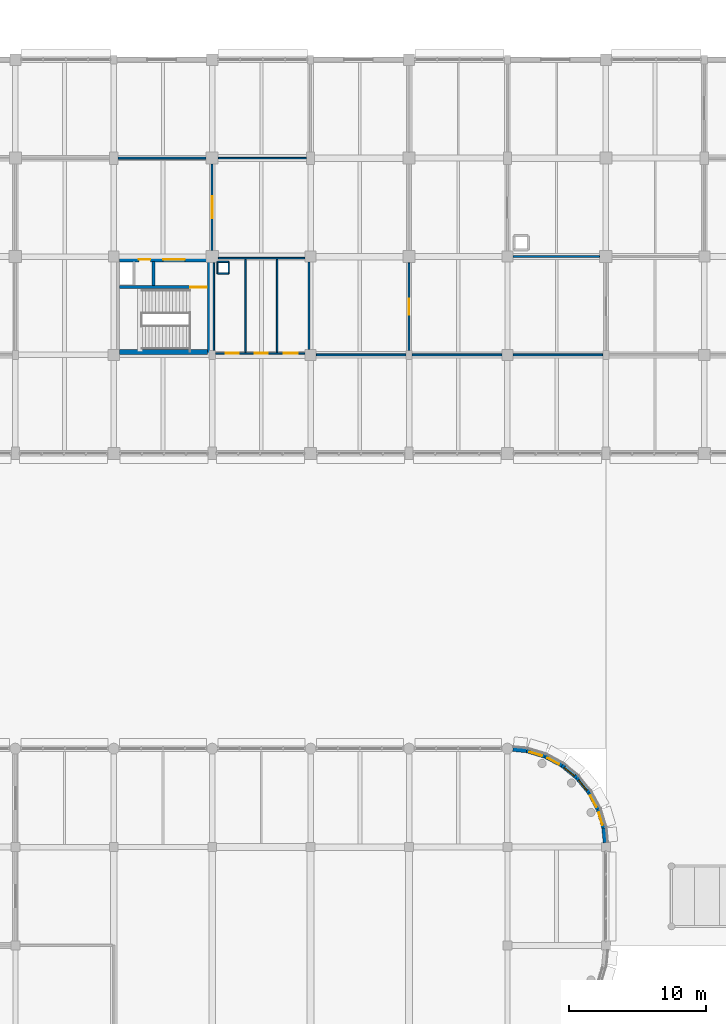
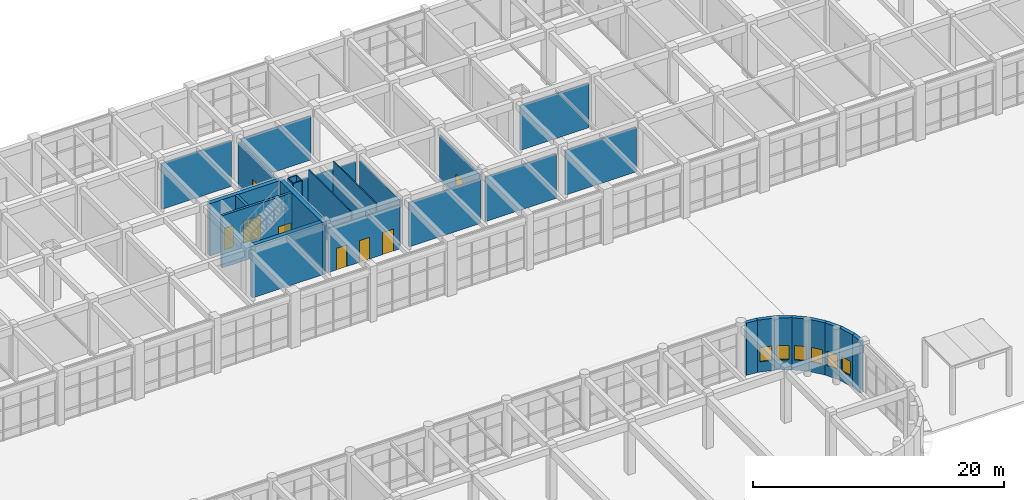
# One storey, part 143 of 160: 31 walls, 8 doors, 6 windows, 14 openings.
"""IFC4 building model written with IfcOpenShell, lengths in metres."""

from ifc_helpers import new_model, si_unit, direction, frame, frame_2d, origin, place, context, subcontext, project, spatial, rectangle, extrude, material, layer, layer_set, type_object, element, fill, save


model = new_model("IFC4")

# Units and contexts
model_context = context("Model", 3, precision=1e-05, world=origin(), true_north=direction((0.0, 1.0)))
body_context = subcontext(model_context, "Body", "Model", "MODEL_VIEW")
ifc_project = project(units=[si_unit("LENGTHUNIT", "METRE"), si_unit("AREAUNIT", "SQUARE_METRE"), si_unit("VOLUMEUNIT", "CUBIC_METRE"), si_unit("PLANEANGLEUNIT", "RADIAN"), si_unit("MASSUNIT", "GRAM", prefix="KILO")], contexts=[model_context])

# Site, building, storey
site_placement = place(None, origin())
site = spatial("IfcSite", under=ifc_project, at=site_placement, CompositionType="ELEMENT")
building_placement = place(site_placement, origin())
building = spatial("IfcBuilding", under=site, at=building_placement, Name="Thalmaran Polytechnic", CompositionType="ELEMENT")
storey_placement = place(building_placement, origin())
storey = spatial("IfcBuildingStorey", under=building, at=storey_placement, Name="L00", CompositionType="ELEMENT", Elevation=0.0)

# Wall
ifc_material_1 = material(Name="Precast concrete C40/50", Category="concrete")
ifc_layer_1 = layer(ifc_material_1, 0.330078125, Name="Precast concrete C40/50")
ifc_layer_set_1 = layer_set([ifc_layer_1], Name="Precast concrete C40/50")
wall_type_1 = type_object("IfcWallType", Name="WL-EW02", PredefinedType="STANDARD", material=ifc_layer_set_1)
wall_1_placement = place(storey_placement, frame((86.798095703125, 71.960693359375, 0.0), z_axis=(0.0, 0.0, 1.0), x_axis=(0.9951866114, -0.097998002481, 0.0)))
element("IfcWall", 1, at=wall_1_placement, inside=storey, type_object=wall_type_1, Name="Exterior Precast Facade Wall L00-120", PredefinedType="STANDARD", context=body_context, shape_type="SweptSolid", body=[
    extrude(rectangle(XDim=1.011474609375, YDim=0.330078125, at=frame_2d((0.505859375, 0.0))), origin(), (0.0, 0.0, 1.0), 5.090087890625),
])

# Wall, opening, window
wall_2_placement = place(storey_placement, frame((87.8046875, 71.861572265625, 0.0), z_axis=(0.0, 0.0, 1.0), x_axis=(0.956945806495, -0.290266641956, 0.0)))
wall_2 = element("IfcWall", 2, at=wall_2_placement, inside=storey, type_object=wall_type_1, Name="Exterior Precast Facade Wall L00-121", PredefinedType="STANDARD", context=body_context, shape_type="SweptSolid", body=[
    extrude(rectangle(XDim=1.411376953125, YDim=0.330078125, at=frame_2d((0.70556640625, 0.0))), origin(), (0.0, 0.0, 1.0), 5.090087890625),
])
opening_1_placement = place(wall_2_placement, frame((0.2255859375, 0.0, 1.0)))
opening_1 = element("IfcOpeningElement", 3, at=opening_1_placement, cuts=wall_2, Name="Opening CR01", PredefinedType="OPENING", context=body_context, shape_type="SweptSolid", body=[
    extrude(rectangle(XDim=0.9599609375, YDim=1.39990234375, at=frame_2d((0.47998046875, 0.699951171875))), frame((0.0, 0.175048828125, 0.0), z_axis=(0.0, -1.0, 0.0), x_axis=(1.0, 0.0, 0.0)), (0.0, 0.0, 1.0), 0.35009765625),
])
ifc_material_2 = material(Name="Thermally broken aluminium and double low-E glass", Category="aluminium")
window_type = type_object("IfcWindowType", Name="WN-CR01", PartitioningType="SINGLE_PANEL", PredefinedType="WINDOW", material=ifc_material_2)
window_1_placement = place(opening_1_placement, origin())
window_1 = element("IfcWindow", 4, at=window_1_placement, inside=storey, type_object=window_type, Name="Curved Prow Ribbon Window W-0066", OverallHeight=1.39990234375, OverallWidth=0.9599609375, PartitioningType="SINGLE_PANEL", PredefinedType="WINDOW", context=body_context, shape_type="SweptSolid", body=[
    extrude(rectangle(XDim=0.9599609375, YDim=1.39990234375, at=frame_2d((0.47998046875, 0.699951171875))), frame((0.0, -0.010009765625, 0.0), z_axis=(0.0, -1.0, 0.0), x_axis=(1.0, 0.0, 0.0)), (0.0, 0.0, 1.0), 0.06005859375),
])
fill(opening_1, window_1)

wall_3_placement = place(storey_placement, frame((89.1552734375, 71.451904296875, 0.0), z_axis=(0.0, 0.0, 1.0), x_axis=(0.881955222984, -0.471333199182, 0.0)))
wall_3 = element("IfcWall", 5, at=wall_3_placement, inside=storey, type_object=wall_type_1, Name="Exterior Precast Facade Wall L00-122", PredefinedType="STANDARD", context=body_context, shape_type="SweptSolid", body=[
    extrude(rectangle(XDim=1.411376953125, YDim=0.330078125, at=frame_2d((0.70556640625, 0.0))), origin(), (0.0, 0.0, 1.0), 5.090087890625),
])
opening_2_placement = place(wall_3_placement, frame((0.2255859375, 0.0, 1.0)))
opening_2 = element("IfcOpeningElement", 6, at=opening_2_placement, cuts=wall_3, Name="Opening CR01", PredefinedType="OPENING", context=body_context, shape_type="SweptSolid", body=[
    extrude(rectangle(XDim=0.9599609375, YDim=1.39990234375, at=frame_2d((0.47998046875, 0.699951171875))), frame((0.0, 0.175048828125, 0.0), z_axis=(0.0, -1.0, 0.0), x_axis=(1.0, 0.0, 0.0)), (0.0, 0.0, 1.0), 0.35009765625),
])
window_2_placement = place(opening_2_placement, origin())
window_2 = element("IfcWindow", 7, at=window_2_placement, inside=storey, type_object=window_type, Name="Curved Prow Ribbon Window W-0067", OverallHeight=1.39990234375, OverallWidth=0.9599609375, PartitioningType="SINGLE_PANEL", PredefinedType="WINDOW", context=body_context, shape_type="SweptSolid", body=[
    extrude(rectangle(XDim=0.9599609375, YDim=1.39990234375, at=frame_2d((0.47998046875, 0.699951171875))), frame((0.0, -0.010009765625, 0.0), z_axis=(0.0, -1.0, 0.0), x_axis=(1.0, 0.0, 0.0)), (0.0, 0.0, 1.0), 0.06005859375),
])
fill(opening_2, window_2)

wall_4_placement = place(storey_placement, frame((90.400146484375, 70.78662109375, 0.0), z_axis=(0.0, 0.0, 1.0), x_axis=(0.772977670605, -0.634433227965, 0.0)))
wall_4 = element("IfcWall", 8, at=wall_4_placement, inside=storey, type_object=wall_type_1, Name="Exterior Precast Facade Wall L00-123", PredefinedType="STANDARD", context=body_context, shape_type="SweptSolid", body=[
    extrude(rectangle(XDim=1.41162109375, YDim=0.330078125, at=frame_2d((0.705810546875, 0.0))), origin(), (0.0, 0.0, 1.0), 5.090087890625),
])
opening_3_placement = place(wall_4_placement, frame((0.2255859375, 0.0, 1.0)))
opening_3 = element("IfcOpeningElement", 9, at=opening_3_placement, cuts=wall_4, Name="Opening CR01", PredefinedType="OPENING", context=body_context, shape_type="SweptSolid", body=[
    extrude(rectangle(XDim=0.9599609375, YDim=1.39990234375, at=frame_2d((0.47998046875, 0.699951171875))), frame((0.0, 0.175048828125, 0.0), z_axis=(0.0, -1.0, 0.0), x_axis=(1.0, 0.0, 0.0)), (0.0, 0.0, 1.0), 0.35009765625),
])
window_3_placement = place(opening_3_placement, origin())
window_3 = element("IfcWindow", 10, at=window_3_placement, inside=storey, type_object=window_type, Name="Curved Prow Ribbon Window W-0068", OverallHeight=1.39990234375, OverallWidth=0.9599609375, PartitioningType="SINGLE_PANEL", PredefinedType="WINDOW", context=body_context, shape_type="SweptSolid", body=[
    extrude(rectangle(XDim=0.9599609375, YDim=1.39990234375, at=frame_2d((0.47998046875, 0.699951171875))), frame((0.0, -0.010009765625, 0.0), z_axis=(0.0, -1.0, 0.0), x_axis=(1.0, 0.0, 0.0)), (0.0, 0.0, 1.0), 0.06005859375),
])
fill(opening_3, window_3)

wall_5_placement = place(storey_placement, frame((91.4912109375, 69.89111328125, 0.0), z_axis=(0.0, 0.0, 1.0), x_axis=(0.63432986571, -0.773062495189, 0.0)))
wall_5 = element("IfcWall", 11, at=wall_5_placement, inside=storey, type_object=wall_type_1, Name="Exterior Precast Facade Wall L00-124", PredefinedType="STANDARD", context=body_context, shape_type="SweptSolid", body=[
    extrude(rectangle(XDim=1.411376953125, YDim=0.330078125, at=frame_2d((0.70556640625, 0.0))), origin(), (0.0, 0.0, 1.0), 5.090087890625),
])
opening_4_placement = place(wall_5_placement, frame((0.2255859375, 0.0, 1.0)))
opening_4 = element("IfcOpeningElement", 12, at=opening_4_placement, cuts=wall_5, Name="Opening CR01", PredefinedType="OPENING", context=body_context, shape_type="SweptSolid", body=[
    extrude(rectangle(XDim=0.9599609375, YDim=1.39990234375, at=frame_2d((0.47998046875, 0.699951171875))), frame((0.0, 0.175048828125, 0.0), z_axis=(0.0, -1.0, 0.0), x_axis=(1.0, 0.0, 0.0)), (0.0, 0.0, 1.0), 0.35009765625),
])
window_4_placement = place(opening_4_placement, origin())
window_4 = element("IfcWindow", 13, at=window_4_placement, inside=storey, type_object=window_type, Name="Curved Prow Ribbon Window W-0069", OverallHeight=1.39990234375, OverallWidth=0.9599609375, PartitioningType="SINGLE_PANEL", PredefinedType="WINDOW", context=body_context, shape_type="SweptSolid", body=[
    extrude(rectangle(XDim=0.9599609375, YDim=1.39990234375, at=frame_2d((0.47998046875, 0.699951171875))), frame((0.0, -0.010009765625, 0.0), z_axis=(0.0, -1.0, 0.0), x_axis=(1.0, 0.0, 0.0)), (0.0, 0.0, 1.0), 0.06005859375),
])
fill(opening_4, window_4)

wall_6_placement = place(storey_placement, frame((92.386474609375, 68.800048828125, 0.0), z_axis=(0.0, 0.0, 1.0), x_axis=(0.471539643102, -0.881844864465, 0.0)))
wall_6 = element("IfcWall", 14, at=wall_6_placement, inside=storey, type_object=wall_type_1, Name="Exterior Precast Facade Wall L00-125", PredefinedType="STANDARD", context=body_context, shape_type="SweptSolid", body=[
    extrude(rectangle(XDim=1.411376953125, YDim=0.330078125, at=frame_2d((0.70556640625, 0.0))), origin(), (0.0, 0.0, 1.0), 5.090087890625),
])
opening_5_placement = place(wall_6_placement, frame((0.2255859375, 0.0, 1.0)))
opening_5 = element("IfcOpeningElement", 15, at=opening_5_placement, cuts=wall_6, Name="Opening CR01", PredefinedType="OPENING", context=body_context, shape_type="SweptSolid", body=[
    extrude(rectangle(XDim=0.9599609375, YDim=1.39990234375, at=frame_2d((0.47998046875, 0.699951171875))), frame((0.0, 0.175048828125, 0.0), z_axis=(0.0, -1.0, 0.0), x_axis=(1.0, 0.0, 0.0)), (0.0, 0.0, 1.0), 0.35009765625),
])
window_5_placement = place(opening_5_placement, origin())
window_5 = element("IfcWindow", 16, at=window_5_placement, inside=storey, type_object=window_type, Name="Curved Prow Ribbon Window W-0070", OverallHeight=1.39990234375, OverallWidth=0.9599609375, PartitioningType="SINGLE_PANEL", PredefinedType="WINDOW", context=body_context, shape_type="SweptSolid", body=[
    extrude(rectangle(XDim=0.9599609375, YDim=1.39990234375, at=frame_2d((0.47998046875, 0.699951171875))), frame((0.0, -0.010009765625, 0.0), z_axis=(0.0, -1.0, 0.0), x_axis=(1.0, 0.0, 0.0)), (0.0, 0.0, 1.0), 0.06005859375),
])
fill(opening_5, window_5)

wall_7_placement = place(storey_placement, frame((93.052001953125, 67.555419921875, 0.0), z_axis=(0.0, 0.0, 1.0), x_axis=(0.290218599957, -0.95696037757, 0.0)))
wall_7 = element("IfcWall", 17, at=wall_7_placement, inside=storey, type_object=wall_type_1, Name="Exterior Precast Facade Wall L00-126", PredefinedType="STANDARD", context=body_context, shape_type="SweptSolid", body=[
    extrude(rectangle(XDim=1.41162109375, YDim=0.330078125, at=frame_2d((0.705810546875, 0.0))), origin(), (0.0, 0.0, 1.0), 5.090087890625),
])
opening_6_placement = place(wall_7_placement, frame((0.2255859375, 0.0, 1.0)))
opening_6 = element("IfcOpeningElement", 18, at=opening_6_placement, cuts=wall_7, Name="Opening CR01", PredefinedType="OPENING", context=body_context, shape_type="SweptSolid", body=[
    extrude(rectangle(XDim=0.9599609375, YDim=1.39990234375, at=frame_2d((0.47998046875, 0.699951171875))), frame((0.0, 0.175048828125, 0.0), z_axis=(0.0, -1.0, 0.0), x_axis=(1.0, 0.0, 0.0)), (0.0, 0.0, 1.0), 0.35009765625),
])
window_6_placement = place(opening_6_placement, origin())
window_6 = element("IfcWindow", 19, at=window_6_placement, inside=storey, type_object=window_type, Name="Curved Prow Ribbon Window W-0071", OverallHeight=1.39990234375, OverallWidth=0.9599609375, PartitioningType="SINGLE_PANEL", PredefinedType="WINDOW", context=body_context, shape_type="SweptSolid", body=[
    extrude(rectangle(XDim=0.9599609375, YDim=1.39990234375, at=frame_2d((0.47998046875, 0.699951171875))), frame((0.0, -0.010009765625, 0.0), z_axis=(0.0, -1.0, 0.0), x_axis=(1.0, 0.0, 0.0)), (0.0, 0.0, 1.0), 0.06005859375),
])
fill(opening_6, window_6)

# Walls
wall_8_placement = place(storey_placement, frame((93.461669921875, 66.20458984375, 0.0), z_axis=(0.0, 0.0, 1.0), x_axis=(0.097990444233, -0.995187355647, 0.0)))
element("IfcWall", 20, at=wall_8_placement, inside=storey, type_object=wall_type_1, Name="Exterior Precast Facade Wall L00-127", PredefinedType="STANDARD", context=body_context, shape_type="SweptSolid", body=[
    extrude(rectangle(XDim=1.086181640625, YDim=0.330078125, at=frame_2d((0.54296875, 0.0))), origin(), (0.0, 0.0, 1.0), 5.090087890625),
])
ifc_material_3 = material(Name="Autoclaved aerated masonry", Category="masonry")
ifc_layer_2 = layer(ifc_material_3, 0.22998046875, Name="Autoclaved aerated masonry")
ifc_layer_set_2 = layer_set([ifc_layer_2], Name="Autoclaved aerated masonry")
wall_type_2 = type_object("IfcWallType", Name="WL-IW02", PredefinedType="PARTITIONING", material=ifc_layer_set_2)
wall_9_placement = place(storey_placement, frame((60.5, 105.89990234375, 0.0), z_axis=(0.0, 0.0, 1.0), x_axis=(0.0, 1.0, 0.0)))
element("IfcWall", 21, at=wall_9_placement, inside=storey, type_object=wall_type_2, Name="Core C6 Riser Partition L00", PredefinedType="PARTITIONING", context=body_context, shape_type="SweptSolid", body=[
    extrude(rectangle(XDim=1.739990234375, YDim=0.22998046875, at=frame_2d((0.8701171875, 0.0))), origin(), (0.0, 0.0, 1.0), 5.090087890625),
])

# Wall, opening, door
ifc_material_4 = material(Name="Gypsum acoustic partition")
ifc_layer_3 = layer(ifc_material_4, 0.14501953125, Name="Gypsum acoustic partition")
ifc_layer_set_3 = layer_set([ifc_layer_3], Name="Gypsum acoustic partition")
wall_type_3 = type_object("IfcWallType", Name="WL-IW06", PredefinedType="PARTITIONING", material=ifc_layer_set_3)
wall_10_placement = place(storey_placement, frame((64.800048828125, 108.455078125, 0.0), z_axis=(0.0, 0.0, 1.0), x_axis=(0.0, 1.0, 0.0)))
wall_10 = element("IfcWall", 22, at=wall_10_placement, inside=storey, type_object=wall_type_3, Name="Interior Partition IW06 L00-075", PredefinedType="PARTITIONING", context=body_context, shape_type="SweptSolid", body=[
    extrude(rectangle(XDim=6.2998046875, YDim=0.14501953125, at=frame_2d((3.14990234375, 0.0))), origin(), (0.0, 0.0, 1.0), 4.405029296875),
])
opening_7_placement = place(wall_10_placement, frame((2.35009765625, 0.0, 0.0)))
opening_7 = element("IfcOpeningElement", 23, at=opening_7_placement, cuts=wall_10, Name="Opening D-L00-031-2-07-1", PredefinedType="OPENING", context=body_context, shape_type="SweptSolid", body=[
    extrude(rectangle(XDim=1.60009765625, YDim=2.199951171875, at=frame_2d((0.800048828125, 1.10009765625))), frame((0.0, 0.08251953125, 0.0), z_axis=(0.0, -1.0, 0.0), x_axis=(1.0, 0.0, 0.0)), (0.0, 0.0, 1.0), 0.1650390625),
])
ifc_material_5 = material(Name="Powder-coated fire-rated steel", Category="steel")
door_type_1 = type_object("IfcDoorType", Name="DR-FD05", OperationType="NOTDEFINED", PredefinedType="DOOR", material=ifc_material_5)
door_1_placement = place(opening_7_placement, origin())
door_1 = element("IfcDoor", 24, at=door_1_placement, inside=storey, type_object=door_type_1, Name="Library Book Stacks L00-07 Door 1", OperationType="DOUBLE_DOOR_SINGLE_SWING", OverallHeight=2.199951171875, OverallWidth=1.60009765625, PredefinedType="DOOR", context=body_context, shape_type="SweptSolid", body=[
    extrude(rectangle(XDim=1.60009765625, YDim=2.199951171875, at=frame_2d((0.800048828125, 1.10009765625))), frame((0.0, 0.02490234375, 0.0), z_axis=(0.0, -1.0, 0.0), x_axis=(1.0, 0.0, 0.0)), (0.0, 0.0, 1.0), 0.050048828125),
])
fill(opening_7, door_1)

# Walls
wall_11_placement = place(storey_placement, frame((57.905029296875, 115.199951171875, 0.0), z_axis=(0.0, 0.0, 1.0), x_axis=(1.0, 0.0, 0.0)))
element("IfcWall", 25, at=wall_11_placement, inside=storey, type_object=wall_type_3, Name="Interior Partition IW06 L00-076", PredefinedType="PARTITIONING", context=body_context, shape_type="SweptSolid", body=[
    extrude(rectangle(XDim=6.449951171875, YDim=0.14501953125, at=frame_2d((3.22509765625, 0.0))), origin(), (0.0, 0.0, 1.0), 4.449951171875),
])
wall_12_placement = place(storey_placement, frame((72.4150390625, 100.800048828125, 0.0), z_axis=(0.0, 0.0, 1.0), x_axis=(1.0, 0.0, 0.0)))
element("IfcWall", 26, at=wall_12_placement, inside=storey, type_object=wall_type_3, Name="Interior Partition IW06 L00-086", PredefinedType="PARTITIONING", context=body_context, shape_type="SweptSolid", body=[
    extrude(rectangle(XDim=6.554931640625, YDim=0.14501953125, at=frame_2d((3.27734375, 0.0))), origin(), (0.0, 0.0, 1.0), 4.31005859375),
])
wall_13_placement = place(storey_placement, frame((79.429931640625, 100.800048828125, 0.0), z_axis=(0.0, 0.0, 1.0), x_axis=(1.0, 0.0, 0.0)))
element("IfcWall", 27, at=wall_13_placement, inside=storey, type_object=wall_type_3, Name="Interior Partition IW06 L00-093", PredefinedType="PARTITIONING", context=body_context, shape_type="SweptSolid", body=[
    extrude(rectangle(XDim=6.55517578125, YDim=0.14501953125, at=frame_2d((3.277587890625, 0.0))), origin(), (0.0, 0.0, 1.0), 4.340087890625),
])
wall_14_placement = place(storey_placement, frame((86.81494140625, 100.800048828125, 0.0), z_axis=(0.0, 0.0, 1.0), x_axis=(1.0, 0.0, 0.0)))
element("IfcWall", 28, at=wall_14_placement, inside=storey, type_object=wall_type_3, Name="Interior Partition IW06 L00-098", PredefinedType="PARTITIONING", context=body_context, shape_type="SweptSolid", body=[
    extrude(rectangle(XDim=6.55517578125, YDim=0.14501953125, at=frame_2d((3.277587890625, 0.0))), origin(), (0.0, 0.0, 1.0), 4.35009765625),
])
ifc_layer_4 = layer(ifc_material_4, 0.1298828125, Name="Gypsum acoustic partition")
ifc_layer_set_4 = layer_set([ifc_layer_4], Name="Gypsum acoustic partition")
wall_type_4 = type_object("IfcWallType", Name="WL-IW07", PredefinedType="PARTITIONING", material=ifc_layer_set_4)
wall_15_placement = place(storey_placement, frame((86.804931640625, 108.0, 0.0), z_axis=(0.0, 0.0, 1.0), x_axis=(1.0, 0.0, 0.0)))
element("IfcWall", 29, at=wall_15_placement, inside=storey, type_object=wall_type_4, Name="Interior Partition IW07 L00-100", PredefinedType="PARTITIONING", context=body_context, shape_type="SweptSolid", body=[
    extrude(rectangle(XDim=6.340087890625, YDim=0.1298828125, at=frame_2d((3.169921875, 0.0))), origin(), (0.0, 0.0, 1.0), 4.35009765625),
])

# Wall, openings, doors
ifc_layer_5 = layer(ifc_material_4, 0.114990234375, Name="Gypsum acoustic partition")
ifc_layer_set_5 = layer_set([ifc_layer_5], Name="Gypsum acoustic partition")
wall_type_5 = type_object("IfcWallType", Name="WL-IW08", PredefinedType="PARTITIONING", material=ifc_layer_set_5)
wall_16_placement = place(storey_placement, frame((65.030029296875, 100.919921875, 0.0), z_axis=(0.0, 0.0, 1.0), x_axis=(1.0, 0.0, 0.0)))
wall_16 = element("IfcWall", 30, at=wall_16_placement, inside=storey, type_object=wall_type_5, Name="Sanitary Core Wall L00-W2-S", PredefinedType="PARTITIONING", context=body_context, shape_type="SweptSolid", body=[
    extrude(rectangle(XDim=6.554931640625, YDim=0.114990234375, at=frame_2d((3.27734375, 0.0))), origin(), (0.0, 0.0, 1.0), 4.2900390625),
])
opening_8_placement = place(wall_16_placement, frame((0.77001953125, 0.0, 0.0)))
opening_8 = element("IfcOpeningElement", 31, at=opening_8_placement, cuts=wall_16, Name="Opening WD-L00-W2-1", PredefinedType="OPENING", context=body_context, shape_type="SweptSolid", body=[
    extrude(rectangle(XDim=0.949951171875, YDim=2.10009765625, at=frame_2d((0.47509765625, 1.050048828125))), frame((0.0, 0.0673828125, 0.0), z_axis=(0.0, -1.0, 0.0), x_axis=(1.0, 0.0, 0.0)), (0.0, 0.0, 1.0), 0.135009765625),
])
opening_9_placement = place(wall_16_placement, frame((2.8701171875, 0.0, 0.0)))
opening_9 = element("IfcOpeningElement", 32, at=opening_9_placement, cuts=wall_16, Name="Opening WD-L00-W2-2", PredefinedType="OPENING", context=body_context, shape_type="SweptSolid", body=[
    extrude(rectangle(XDim=0.949951171875, YDim=2.10009765625, at=frame_2d((0.47509765625, 1.050048828125))), frame((0.0, 0.0673828125, 0.0), z_axis=(0.0, -1.0, 0.0), x_axis=(1.0, 0.0, 0.0)), (0.0, 0.0, 1.0), 0.135009765625),
])
opening_10_placement = place(wall_16_placement, frame((5.02001953125, 0.0, 0.0)))
opening_10 = element("IfcOpeningElement", 33, at=opening_10_placement, cuts=wall_16, Name="Opening WD-L00-W2-3", PredefinedType="OPENING", context=body_context, shape_type="SweptSolid", body=[
    extrude(rectangle(XDim=1.0, YDim=2.14990234375, at=frame_2d((0.5, 1.074951171875))), frame((0.0, 0.0673828125, 0.0), z_axis=(0.0, -1.0, 0.0), x_axis=(1.0, 0.0, 0.0)), (0.0, 0.0, 1.0), 0.135009765625),
])
ifc_material_6 = material(Name="Acoustic hardwood", Category="wood")
door_type_2 = type_object("IfcDoorType", Name="DR-ID06", OperationType="NOTDEFINED", PredefinedType="DOOR", material=ifc_material_6)
door_2_placement = place(opening_10_placement, origin())
door_2 = element("IfcDoor", 34, at=door_2_placement, inside=storey, type_object=door_type_2, Name="Accessible WC Door L00-W2", OperationType="SINGLE_SWING_RIGHT", OverallHeight=2.14990234375, OverallWidth=1.0, PredefinedType="DOOR", context=body_context, shape_type="SweptSolid", body=[
    extrude(rectangle(XDim=1.0, YDim=2.14990234375, at=frame_2d((0.5, 1.074951171875))), frame((0.0, 0.02490234375, 0.0), z_axis=(0.0, -1.0, 0.0), x_axis=(1.0, 0.0, 0.0)), (0.0, 0.0, 1.0), 0.050048828125),
])
fill(opening_10, door_2)
ifc_material_7 = material(Name="Moisture-resistant laminate timber", Category="wood")
door_type_3 = type_object("IfcDoorType", Name="DR-ID07", OperationType="NOTDEFINED", PredefinedType="DOOR", material=ifc_material_7)
door_3_placement = place(opening_8_placement, origin())
door_3 = element("IfcDoor", 35, at=door_3_placement, inside=storey, type_object=door_type_3, Name="Male WC Door L00-W2", OperationType="SINGLE_SWING_RIGHT", OverallHeight=2.10009765625, OverallWidth=0.949951171875, PredefinedType="DOOR", context=body_context, shape_type="SweptSolid", body=[
    extrude(rectangle(XDim=0.949951171875, YDim=2.10009765625, at=frame_2d((0.47509765625, 1.050048828125))), frame((0.0, 0.02490234375, 0.0), z_axis=(0.0, -1.0, 0.0), x_axis=(1.0, 0.0, 0.0)), (0.0, 0.0, 1.0), 0.050048828125),
])
fill(opening_8, door_3)
door_4_placement = place(opening_9_placement, origin())
door_4 = element("IfcDoor", 36, at=door_4_placement, inside=storey, type_object=door_type_3, Name="Female WC Door L00-W2", OperationType="SINGLE_SWING_LEFT", OverallHeight=2.10009765625, OverallWidth=0.949951171875, PredefinedType="DOOR", context=body_context, shape_type="SweptSolid", body=[
    extrude(rectangle(XDim=0.949951171875, YDim=2.10009765625, at=frame_2d((0.47509765625, 1.050048828125))), frame((0.0, 0.02490234375, 0.0), z_axis=(0.0, -1.0, 0.0), x_axis=(1.0, 0.0, 0.0)), (0.0, 0.0, 1.0), 0.050048828125),
])
fill(opening_9, door_4)

# Walls
wall_17_placement = place(storey_placement, frame((65.2548828125, 107.8798828125, 0.0), z_axis=(0.0, 0.0, 1.0), x_axis=(1.0, 0.0, 0.0)))
element("IfcWall", 37, at=wall_17_placement, inside=storey, type_object=wall_type_5, Name="Sanitary Core Wall L00-W2-N", PredefinedType="PARTITIONING", context=body_context, shape_type="SweptSolid", body=[
    extrude(rectangle(XDim=6.340087890625, YDim=0.114990234375, at=frame_2d((3.169921875, 0.0))), origin(), (0.0, 0.0, 1.0), 4.2900390625),
])
wall_18_placement = place(storey_placement, frame((64.919921875, 101.1298828125, 0.0), z_axis=(0.0, 0.0, 1.0), x_axis=(0.0, 1.0, 0.0)))
element("IfcWall", 38, at=wall_18_placement, inside=storey, type_object=wall_type_5, Name="Sanitary Side Wall L00-W2-W", PredefinedType="PARTITIONING", context=body_context, shape_type="SweptSolid", body=[
    extrude(rectangle(XDim=6.4150390625, YDim=0.114990234375, at=frame_2d((3.20751953125, 0.0))), origin(), (0.0, 0.0, 1.0), 4.455078125),
])
wall_19_placement = place(storey_placement, frame((71.8798828125, 101.215087890625, 0.0), z_axis=(0.0, 0.0, 1.0), x_axis=(0.0, 1.0, 0.0)))
element("IfcWall", 39, at=wall_19_placement, inside=storey, type_object=wall_type_5, Name="Sanitary Side Wall L00-W2-E", PredefinedType="PARTITIONING", context=body_context, shape_type="SweptSolid", body=[
    extrude(rectangle(XDim=6.3798828125, YDim=0.114990234375, at=frame_2d((3.18994140625, 0.0))), origin(), (0.0, 0.0, 1.0), 4.455078125),
])
wall_20_placement = place(storey_placement, frame((65.2451171875, 115.199951171875, 0.0), z_axis=(0.0, 0.0, 1.0), x_axis=(1.0, 0.0, 0.0)))
element("IfcWall", 40, at=wall_20_placement, inside=storey, type_object=wall_type_5, Name="Interior Partition IW08 L00-079", PredefinedType="PARTITIONING", context=body_context, shape_type="SweptSolid", body=[
    extrude(rectangle(XDim=6.449951171875, YDim=0.114990234375, at=frame_2d((3.22509765625, 0.0))), origin(), (0.0, 0.0, 1.0), 4.2900390625),
])

# Wall, opening, door
wall_21_placement = place(storey_placement, frame((79.199951171875, 101.1298828125, 0.0), z_axis=(0.0, 0.0, 1.0), x_axis=(0.0, 1.0, 0.0)))
wall_21 = element("IfcWall", 41, at=wall_21_placement, inside=storey, type_object=wall_type_5, Name="Interior Partition IW08 L00-087", PredefinedType="PARTITIONING", context=body_context, shape_type="SweptSolid", body=[
    extrude(rectangle(XDim=6.4150390625, YDim=0.114990234375, at=frame_2d((3.20751953125, 0.0))), origin(), (0.0, 0.0, 1.0), 4.455078125),
])
opening_11_placement = place(wall_21_placement, frame((2.617431640625, 0.0, 0.0)))
opening_11 = element("IfcOpeningElement", 42, at=opening_11_placement, cuts=wall_21, Name="Opening D-L00-032-2-08-1", PredefinedType="OPENING", context=body_context, shape_type="SweptSolid", body=[
    extrude(rectangle(XDim=1.179931640625, YDim=2.179931640625, at=frame_2d((0.58984375, 1.08984375))), frame((0.0, 0.0673828125, 0.0), z_axis=(0.0, -1.0, 0.0), x_axis=(1.0, 0.0, 0.0)), (0.0, 0.0, 1.0), 0.135009765625),
])
door_type_4 = type_object("IfcDoorType", Name="DR-ZD05", OperationType="NOTDEFINED", PredefinedType="DOOR", material=ifc_material_6)
door_5_placement = place(opening_11_placement, origin())
door_5 = element("IfcDoor", 43, at=door_5_placement, inside=storey, type_object=door_type_4, Name="Digital Learning Commons L00-08 Door 1", OperationType="SINGLE_SWING_LEFT", OverallHeight=2.179931640625, OverallWidth=1.179931640625, PredefinedType="DOOR", context=body_context, shape_type="SweptSolid", body=[
    extrude(rectangle(XDim=1.179931640625, YDim=2.179931640625, at=frame_2d((0.58984375, 1.08984375))), frame((0.0, 0.02490234375, 0.0), z_axis=(0.0, -1.0, 0.0), x_axis=(1.0, 0.0, 0.0)), (0.0, 0.0, 1.0), 0.050048828125),
])
fill(opening_11, door_5)

# Walls
ifc_material_8 = material(Name="Moisture-resistant partition")
ifc_layer_6 = layer(ifc_material_8, 0.10009765625, Name="Moisture-resistant partition")
ifc_layer_set_6 = layer_set([ifc_layer_6], Name="Moisture-resistant partition")
wall_type_6 = type_object("IfcWallType", Name="WL-IW09", PredefinedType="PARTITIONING", material=ifc_layer_set_6)
for number, where, z_axis, x_axis, name in (
    (44, (67.25, 101.0, 0.0), (0.0, 0.0, 1.0), (0.0, 1.0, 0.0), "WC Partition L00-W2-1"),
    (45, (69.550048828125, 101.0, 0.0), (0.0, 0.0, 1.0), (0.0, 1.0, 0.0), "WC Partition L00-W2-2"),
):
    element("IfcWall", number, at=place(storey_placement, frame(where, z_axis=z_axis, x_axis=x_axis)), inside=storey, type_object=wall_type_6, Name=name, PredefinedType="PARTITIONING", context=body_context, shape_type="SweptSolid", body=[
        extrude(rectangle(XDim=6.800048828125, YDim=0.10009765625, at=frame_2d((3.39990234375, 0.0))), origin(), (0.0, 0.0, 1.0), 5.090087890625),
    ])
wall_22_placement = place(storey_placement, frame((65.18994140625, 106.75, 0.0), z_axis=(0.0, 0.0, 1.0), x_axis=(1.0, 0.0, 0.0)))
element("IfcWall", 46, at=wall_22_placement, inside=storey, type_object=wall_type_6, Name="Plumbing Riser Chase Wall L00-W2-S", PredefinedType="PARTITIONING", context=body_context, shape_type="SweptSolid", body=[
    extrude(rectangle(XDim=0.820068359375, YDim=0.10009765625, at=frame_2d((0.41015625, 0.0))), origin(), (0.0, 0.0, 1.0), 5.090087890625),
])
wall_23_placement = place(storey_placement, frame((66.010009765625, 106.75, 0.0), z_axis=(0.0, 0.0, 1.0), x_axis=(0.0, 1.0, 0.0)))
element("IfcWall", 47, at=wall_23_placement, inside=storey, type_object=wall_type_6, Name="Plumbing Riser Chase Wall L00-W2-E", PredefinedType="PARTITIONING", context=body_context, shape_type="SweptSolid", body=[
    extrude(rectangle(XDim=0.860107421875, YDim=0.10009765625, at=frame_2d((0.43017578125, 0.0))), origin(), (0.0, 0.0, 1.0), 5.090087890625),
])
wall_24_placement = place(storey_placement, frame((66.010009765625, 107.610107421875, 0.0), z_axis=(0.0, 0.0, 1.0), x_axis=(-1.0, 0.0, 0.0)))
element("IfcWall", 48, at=wall_24_placement, inside=storey, type_object=wall_type_6, Name="Plumbing Riser Chase Wall L00-W2-N", PredefinedType="PARTITIONING", context=body_context, shape_type="SweptSolid", body=[
    extrude(rectangle(XDim=0.820068359375, YDim=0.10009765625, at=frame_2d((0.41015625, 0.0))), origin(), (0.0, 0.0, 1.0), 5.090087890625),
])
wall_25_placement = place(storey_placement, frame((65.18994140625, 107.610107421875, 0.0), z_axis=(0.0, 0.0, 1.0), x_axis=(0.0, -1.0, 0.0)))
element("IfcWall", 49, at=wall_25_placement, inside=storey, type_object=wall_type_6, Name="Plumbing Riser Chase Wall L00-W2-W", PredefinedType="PARTITIONING", context=body_context, shape_type="SweptSolid", body=[
    extrude(rectangle(XDim=0.860107421875, YDim=0.10009765625, at=frame_2d((0.43017578125, 0.0))), origin(), (0.0, 0.0, 1.0), 5.090087890625),
])
ifc_material_9 = material(Name="Concrete C50/60", Category="concrete")
ifc_layer_7 = layer(ifc_material_9, 0.3798828125, Name="Concrete C50/60")
ifc_layer_set_7 = layer_set([ifc_layer_7], Name="Concrete C50/60")
wall_type_7 = type_object("IfcWallType", Name="WL-SW02", PredefinedType="SHEAR", material=ifc_layer_set_7)
wall_26_placement = place(storey_placement, frame((58.010009765625, 101.02001953125, 0.0), z_axis=(0.0, 0.0, 1.0), x_axis=(1.0, 0.0, 0.0)))
element("IfcWall", 50, at=wall_26_placement, inside=storey, type_object=wall_type_7, Name="Core C6 South Shear Wall L00", PredefinedType="SHEAR", context=body_context, shape_type="SweptSolid", body=[
    extrude(rectangle(XDim=6.4599609375, YDim=0.3798828125, at=frame_2d((3.22998046875, 0.0))), origin(), (0.0, 0.0, 1.0), 5.090087890625),
])

# Wall, openings, doors
wall_27_placement = place(storey_placement, frame((58.010009765625, 107.780029296875, 0.0), z_axis=(0.0, 0.0, 1.0), x_axis=(1.0, 0.0, 0.0)))
wall_27 = element("IfcWall", 51, at=wall_27_placement, inside=storey, type_object=wall_type_7, Name="Core C6 North Shear Wall L00", PredefinedType="SHEAR", context=body_context, shape_type="SweptSolid", body=[
    extrude(rectangle(XDim=6.4599609375, YDim=0.3798828125, at=frame_2d((3.22998046875, 0.0))), origin(), (0.0, 0.0, 1.0), 5.090087890625),
])
opening_12_placement = place(wall_27_placement, frame((1.419921875, 0.0, 0.0)))
opening_12 = element("IfcOpeningElement", 52, at=opening_12_placement, cuts=wall_27, Name="Opening DR-C6-L00-R", PredefinedType="OPENING", context=body_context, shape_type="SweptSolid", body=[
    extrude(rectangle(XDim=0.85009765625, YDim=2.10009765625, at=frame_2d((0.425048828125, 1.050048828125))), frame((0.0, 0.199951171875, 0.0), z_axis=(0.0, -1.0, 0.0), x_axis=(1.0, 0.0, 0.0)), (0.0, 0.0, 1.0), 0.39990234375),
])
opening_13_placement = place(wall_27_placement, frame((3.199951171875, 0.0, 0.0)))
opening_13 = element("IfcOpeningElement", 53, at=opening_13_placement, cuts=wall_27, Name="Opening LD-C6-L00", PredefinedType="OPENING", context=body_context, shape_type="SweptSolid", body=[
    extrude(rectangle(XDim=1.60009765625, YDim=2.199951171875, at=frame_2d((0.800048828125, 1.10009765625))), frame((0.0, 0.199951171875, 0.0), z_axis=(0.0, -1.0, 0.0), x_axis=(1.0, 0.0, 0.0)), (0.0, 0.0, 1.0), 0.39990234375),
])
door_6_placement = place(opening_13_placement, origin())
door_6 = element("IfcDoor", 54, at=door_6_placement, inside=storey, type_object=door_type_1, Name="Stair Lobby Fire Door C6 L00", OperationType="DOUBLE_DOOR_SINGLE_SWING", OverallHeight=2.199951171875, OverallWidth=1.60009765625, PredefinedType="DOOR", context=body_context, shape_type="SweptSolid", body=[
    extrude(rectangle(XDim=1.60009765625, YDim=2.199951171875, at=frame_2d((0.800048828125, 1.10009765625))), frame((0.0, 0.02490234375, 0.0), z_axis=(0.0, -1.0, 0.0), x_axis=(1.0, 0.0, 0.0)), (0.0, 0.0, 1.0), 0.050048828125),
])
fill(opening_13, door_6)
door_type_5 = type_object("IfcDoorType", Name="DR-FD09", OperationType="NOTDEFINED", PredefinedType="DOOR", material=ifc_material_5)
door_7_placement = place(opening_12_placement, origin())
door_7 = element("IfcDoor", 55, at=door_7_placement, inside=storey, type_object=door_type_5, Name="Riser Access Fire Door C6 L00", OperationType="SINGLE_SWING_LEFT", OverallHeight=2.10009765625, OverallWidth=0.85009765625, PredefinedType="DOOR", context=body_context, shape_type="SweptSolid", body=[
    extrude(rectangle(XDim=0.85009765625, YDim=2.10009765625, at=frame_2d((0.425048828125, 1.050048828125))), frame((0.0, 0.02490234375, 0.0), z_axis=(0.0, -1.0, 0.0), x_axis=(1.0, 0.0, 0.0)), (0.0, 0.0, 1.0), 0.050048828125),
])
fill(opening_12, door_7)

# Wall, opening, door
wall_28_placement = place(storey_placement, frame((58.010009765625, 105.760009765625, 0.0), z_axis=(0.0, 0.0, 1.0), x_axis=(1.0, 0.0, 0.0)))
wall_28 = element("IfcWall", 56, at=wall_28_placement, inside=storey, type_object=wall_type_7, Name="Core C6 Stair Partition L00", PredefinedType="SHEAR", context=body_context, shape_type="SweptSolid", body=[
    extrude(rectangle(XDim=6.4599609375, YDim=0.219970703125, at=frame_2d((3.22998046875, 0.0))), origin(), (0.0, 0.0, 1.0), 5.090087890625),
])
opening_14_placement = place(wall_28_placement, frame((5.199951171875, 0.0, 0.0)))
opening_14 = element("IfcOpeningElement", 57, at=opening_14_placement, cuts=wall_28, Name="Opening SD-ST6-L00", PredefinedType="OPENING", context=body_context, shape_type="SweptSolid", body=[
    extrude(rectangle(XDim=1.199951171875, YDim=2.199951171875, at=frame_2d((0.60009765625, 1.10009765625))), frame((0.0, 0.119873046875, 0.0), z_axis=(0.0, -1.0, 0.0), x_axis=(1.0, 0.0, 0.0)), (0.0, 0.0, 1.0), 0.239990234375),
])
door_type_6 = type_object("IfcDoorType", Name="DR-FD04", OperationType="NOTDEFINED", PredefinedType="DOOR", material=ifc_material_5)
door_8_placement = place(opening_14_placement, frame((1.199951171875, 0.0, 0.0), z_axis=(0.0, 0.0, 1.0), x_axis=(-1.0, 0.0, 0.0)))
door_8 = element("IfcDoor", 58, at=door_8_placement, inside=storey, type_object=door_type_6, Name="Exit Stair Fire Door ST6 L00", OperationType="DOUBLE_DOOR_SINGLE_SWING", OverallHeight=2.199951171875, OverallWidth=1.199951171875, PredefinedType="DOOR", context=body_context, shape_type="SweptSolid", body=[
    extrude(rectangle(XDim=1.199951171875, YDim=2.199951171875, at=frame_2d((0.60009765625, 1.10009765625))), frame((0.0, 0.02490234375, 0.0), z_axis=(0.0, -1.0, 0.0), x_axis=(1.0, 0.0, 0.0)), (0.0, 0.0, 1.0), 0.050048828125),
])
fill(opening_14, door_8)

# Wall
wall_29_placement = place(storey_placement, frame((64.659912109375, 100.830078125, 0.0), z_axis=(0.0, 0.0, 1.0), x_axis=(0.0, 1.0, 0.0)))
element("IfcWall", 59, at=wall_29_placement, inside=storey, type_object=wall_type_7, Name="Core C6 East Shear Wall L00", PredefinedType="SHEAR", context=body_context, shape_type="SweptSolid", body=[
    extrude(rectangle(XDim=7.139892578125, YDim=0.3798828125, at=frame_2d((3.56982421875, 0.0))), origin(), (0.0, 0.0, 1.0), 5.090087890625),
])

save(model, "model.ifc")
